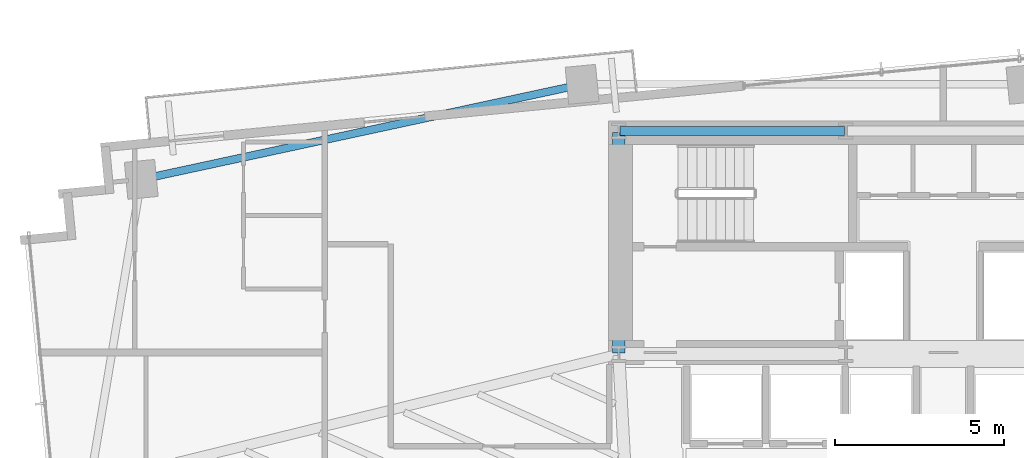
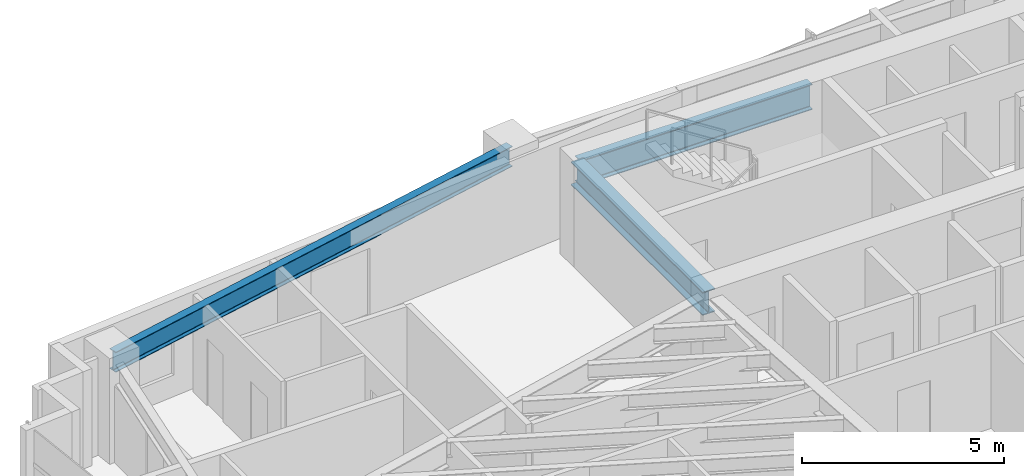
# One storey, part 9 of 27: 3 beams.
"""IFC4 building model written with IfcOpenShell, lengths in metres."""

from ifc_helpers import new_model, si_unit, direction, frame, origin, origin_2d, place, context, subcontext, project, spatial, i_section, extrude, source, transform, mapped, material, material_profile, profile_set, type_object, type_shapes, element, save


model = new_model("IFC4")

# Units and contexts
model_context = context("Model", 3, precision=1e-05, world=origin(), true_north=direction((0.0, 1.0)))
body_context = subcontext(model_context, "Body", "Model", "MODEL_VIEW")
ifc_project = project(units=[si_unit("LENGTHUNIT", "METRE"), si_unit("AREAUNIT", "SQUARE_METRE"), si_unit("VOLUMEUNIT", "CUBIC_METRE"), si_unit("PLANEANGLEUNIT", "RADIAN"), si_unit("MASSUNIT", "GRAM", prefix="KILO")], contexts=[model_context])

# Site, building, storey
site_placement = place(None, origin())
site = spatial("IfcSite", under=ifc_project, at=site_placement, CompositionType="ELEMENT")
building_placement = place(site_placement, origin())
building = spatial("IfcBuilding", under=site, at=building_placement, Name="Astriad Promenade Condominiums", CompositionType="ELEMENT")
storey_placement = place(building_placement, frame((0.0, 0.0, 84.199951171875)))
storey = spatial("IfcBuildingStorey", under=building, at=storey_placement, Name="L23", CompositionType="ELEMENT", Elevation=84.199951171875)

# Beams
ifc_material = material(Name="Steel ASTM A992 Grade 50", Category="steel")
ifc_material_profile_1 = material_profile(ifc_material, i_section(OverallWidth=0.267822265625, OverallDepth=0.76953125, WebThickness=0.015625, FlangeThickness=0.025390625, FilletRadius=0.021484375, at=origin_2d()), Name="W30X132")
ifc_profile_set_1 = profile_set([ifc_material_profile_1], Name="Steel ASTM A992 Grade 50")
beam_type_1 = type_object("IfcBeamType", Name="STEEL FLOOR GIRDER W30X132", PredefinedType="BEAM", material=ifc_profile_set_1)
shared_shape_1 = source(origin(), body_context, "Body", "SweptSolid", [
    extrude(i_section(OverallWidth=0.267822265625, OverallDepth=0.76953125, WebThickness=0.015625, FlangeThickness=0.025390625, FilletRadius=0.021484375, at=origin_2d()), origin(), (0.0, 0.0, 1.0), 6.64013671875),
])
type_shapes(beam_type_1, [shared_shape_1])
beam_1_placement = place(storey_placement, frame((26.43994140625, 24.0, 2.55517578125), z_axis=(1.0, 0.0, 0.0), x_axis=(0.0, 1.0, 0.0)))
element("IfcBeam", 1, at=beam_1_placement, inside=storey, type_object=beam_type_1, Name="Core Ring Beam CG-N1-L23", PredefinedType="BEAM", context=body_context, shape_type="MappedRepresentation", body=[
    mapped(shared_shape_1, transform((0.0, 0.0, 0.0), scale=1.0)),
])
ifc_material_profile_2 = material_profile(ifc_material, i_section(OverallWidth=0.35791015625, OverallDepth=0.706298828125, WebThickness=0.018310546875, FlangeThickness=0.0302734375, FilletRadius=0.020263671875, at=origin_2d()), Name="W27X178")
ifc_profile_set_2 = profile_set([ifc_material_profile_2], Name="Steel ASTM A992 Grade 50")
beam_type_2 = type_object("IfcBeamType", Name="STEEL FLOOR GIRDER W27X178", PredefinedType="BEAM", material=ifc_profile_set_2)
shared_shape_2 = source(origin(), body_context, "Body", "SweptSolid", [
    extrude(i_section(OverallWidth=0.35791015625, OverallDepth=0.706298828125, WebThickness=0.018310546875, FlangeThickness=0.0302734375, FilletRadius=0.020263671875, at=origin_2d()), origin(), (0.0, 0.0, 1.0), 6.52001953125),
])
type_shapes(beam_type_2, [shared_shape_2])
beam_2_placement = place(storey_placement, frame((26.39990234375, 17.43994140625, 2.5869140625), z_axis=(0.0, 1.0, 0.0), x_axis=(-1.0, 0.0, 0.0)))
element("IfcBeam", 2, at=beam_2_placement, inside=storey, type_object=beam_type_2, Name="Core Ring Beam CG-W1-L23", PredefinedType="BEAM", context=body_context, shape_type="MappedRepresentation", body=[
    mapped(shared_shape_2, transform((0.0, 0.0, 0.0), scale=1.0)),
])
ifc_material_profile_3 = material_profile(ifc_material, i_section(OverallWidth=0.22900390625, OverallDepth=0.612060546875, WebThickness=0.011962890625, FlangeThickness=0.01953125, FilletRadius=0.017822265625, at=origin_2d()), Name="W24X84")
ifc_profile_set_3 = profile_set([ifc_material_profile_3], Name="Steel ASTM A992 Grade 50")
beam_type_3 = type_object("IfcBeamType", Name="STEEL SPANDREL BEAM W24X84", PredefinedType="SPANDREL", material=ifc_profile_set_3)
shared_shape_3 = source(origin(), body_context, "Body", "SweptSolid", [
    extrude(i_section(OverallWidth=0.22900390625, OverallDepth=0.612060546875, WebThickness=0.011962890625, FlangeThickness=0.01953125, FilletRadius=0.017822265625, at=origin_2d()), origin(), (0.0, 0.0, 1.0), 13.25927734375),
])
type_shapes(beam_type_3, [shared_shape_3])
beam_3_placement = place(storey_placement, frame((25.27587890625, 25.37158203125, 2.634033203125), z_axis=(-0.977531608864, -0.210788884127, 0.0), x_axis=(0.210788884127, -0.977531608864, 0.0)))
element("IfcBeam", 3, at=beam_3_placement, inside=storey, type_object=beam_type_3, Name="Perimeter Spandrel Beam SP-N1-L23", PredefinedType="SPANDREL", context=body_context, shape_type="MappedRepresentation", body=[
    mapped(shared_shape_3, transform((0.0, 0.0, 0.0), scale=1.0)),
])

save(model, "model.ifc")
